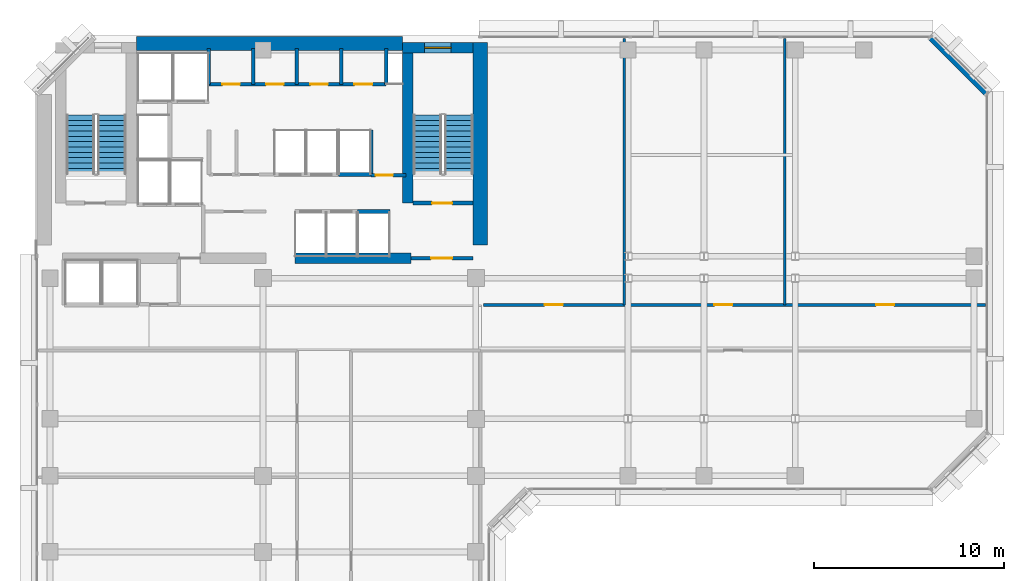
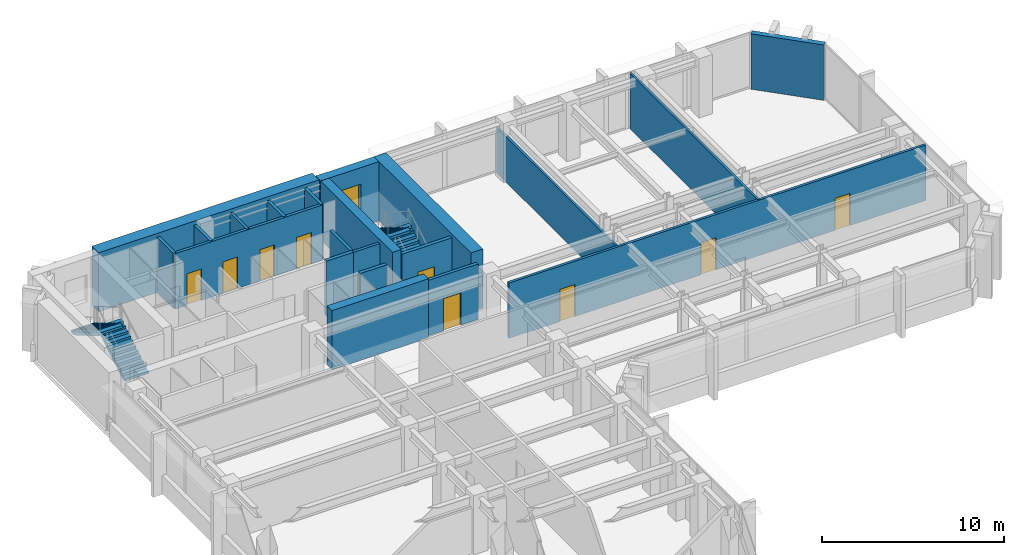
# One storey, part 8 of 11: 21 walls, 10 doors, 4 stair flights, 1 window, 11 openings, 2 elements without a shape of their own.
"""IFC4 building model written with IfcOpenShell, lengths in metres."""

from ifc_helpers import new_model, si_unit, direction, frame, frame_2d, origin, place, context, subcontext, project, spatial, polyline, rectangle, outline, extrude, material, layer, layer_set, type_object, element, fill, aggregate, save


model = new_model("IFC4")

# Units and contexts
model_context = context("Model", 3, precision=1e-05, world=origin(), true_north=direction((0.0, 1.0)))
body_context = subcontext(model_context, "Body", "Model", "MODEL_VIEW")
ifc_project = project(units=[si_unit("LENGTHUNIT", "METRE"), si_unit("AREAUNIT", "SQUARE_METRE"), si_unit("VOLUMEUNIT", "CUBIC_METRE"), si_unit("PLANEANGLEUNIT", "RADIAN"), si_unit("MASSUNIT", "GRAM", prefix="KILO")], contexts=[model_context])

# Site, building, storey
site_placement = place(None, origin())
site = spatial("IfcSite", under=ifc_project, at=site_placement, CompositionType="ELEMENT")
building_placement = place(site_placement, origin())
building = spatial("IfcBuilding", under=site, at=building_placement, Name="Kefirva Bronze Tower", CompositionType="ELEMENT")
storey_placement = place(building_placement, frame((0.0, 0.0, 166.64990234375)))
storey = spatial("IfcBuildingStorey", under=building, at=storey_placement, Name="L40", CompositionType="ELEMENT", Elevation=166.64990234375)

# Walls
ifc_material_1 = material(Name="Gypsum acoustic partition")
ifc_layer_1 = layer(ifc_material_1, 0.1298828125, Name="Gypsum acoustic partition")
ifc_layer_set_1 = layer_set([ifc_layer_1], Name="Gypsum acoustic partition")
wall_type_1 = type_object("IfcWallType", Name="Acoustic Office Partition 130mm", PredefinedType="PARTITIONING", material=ifc_layer_set_1)
wall_1_placement = place(storey_placement, frame((30.994873046875, 31.800048828125, 0.0), z_axis=(0.0, 0.0, 1.0), x_axis=(0.0, 1.0, 0.0)))
element("IfcWall", 1, at=wall_1_placement, inside=storey, type_object=wall_type_1, Name="L40 Partition W-L40-END1", PredefinedType="PARTITIONING", context=body_context, shape_type="SweptSolid", body=[
    extrude(rectangle(XDim=14.010009765625, YDim=0.1298828125, at=frame_2d((7.0048828125, 0.0))), origin(), (0.0, 0.0, 1.0), 3.045166015625),
])
wall_2_placement = place(storey_placement, frame((39.446044921875, 31.800048828125, 0.0), z_axis=(0.0, 0.0, 1.0), x_axis=(0.0, 1.0, 0.0)))
element("IfcWall", 2, at=wall_2_placement, inside=storey, type_object=wall_type_1, Name="L40 Partition W-L40-END2", PredefinedType="PARTITIONING", context=body_context, shape_type="SweptSolid", body=[
    extrude(rectangle(XDim=14.010009765625, YDim=0.1298828125, at=frame_2d((7.0048828125, 0.0))), origin(), (0.0, 0.0, 1.0), 3.710205078125),
])

# Wall, opening, door
ifc_material_2 = material(Name="Gypsum fireboard shaftwall")
ifc_layer_2 = layer(ifc_material_2, 0.219970703125, Name="Gypsum fireboard shaftwall")
ifc_layer_set_2 = layer_set([ifc_layer_2], Name="Gypsum fireboard shaftwall")
wall_type_2 = type_object("IfcWallType", Name="Fire-Rated Shaft Enclosure Wall 220mm", PredefinedType="PARTITIONING", material=ifc_layer_set_2)
wall_3_placement = place(storey_placement, frame((19.89990234375, 37.14990234375, 0.0), z_axis=(0.0, 0.0, 1.0), x_axis=(1.0, 0.0, 0.0)))
wall_3 = element("IfcWall", 3, at=wall_3_placement, inside=storey, type_object=wall_type_2, Name="L40 Partition W-L40-ST2S", PredefinedType="PARTITIONING", context=body_context, shape_type="SweptSolid", body=[
    extrude(rectangle(XDim=3.150146484375, YDim=0.219970703125, at=frame_2d((1.5751953125, 0.0))), origin(), (0.0, 0.0, 1.0), 3.710205078125),
])
opening_1_placement = place(wall_3_placement, frame((2.050048828125, 0.0, 0.0), z_axis=(0.0, 0.0, 1.0), x_axis=(-1.0, 0.0, 0.0)))
opening_1 = element("IfcOpeningElement", 4, at=opening_1_placement, cuts=wall_3, Name="Opening L40-D003", PredefinedType="OPENING", context=body_context, shape_type="SweptSolid", body=[
    extrude(rectangle(XDim=1.050048828125, YDim=2.14990234375, at=frame_2d((0.52490234375, 1.074951171875))), frame((0.0, 0.1201171875, 0.0), z_axis=(0.0, -1.0, 0.0), x_axis=(1.0, 0.0, 0.0)), (0.0, 0.0, 1.0), 0.239990234375),
])
ifc_material_3 = material(Name="Painted galvanized steel", Category="steel")
door_type_1 = type_object("IfcDoorType", Name="Fire Stair Enclosure Door 1050x2150 FD90S", OperationType="NOTDEFINED", PredefinedType="DOOR", material=ifc_material_3)
door_1_placement = place(opening_1_placement, origin())
door_1 = element("IfcDoor", 5, at=door_1_placement, inside=storey, type_object=door_type_1, Name="Door L40-D003", OperationType="SINGLE_SWING_RIGHT", OverallHeight=2.14990234375, OverallWidth=1.050048828125, PredefinedType="DOOR", context=body_context, shape_type="SweptSolid", body=[
    extrude(rectangle(XDim=1.050048828125, YDim=2.14990234375, at=frame_2d((0.52490234375, 1.074951171875))), frame((0.0, 0.02490234375, 0.0), z_axis=(0.0, -1.0, 0.0), x_axis=(1.0, 0.0, 0.0)), (0.0, 0.0, 1.0), 0.050048828125),
])
fill(opening_1, door_1)

# Walls
wall_4_placement = place(storey_placement, frame((17.679931640625, 38.64990234375, 0.0), z_axis=(0.0, 0.0, 1.0), x_axis=(0.0, 1.0, 0.0)))
element("IfcWall", 6, at=wall_4_placement, inside=storey, type_object=wall_type_2, Name="L40 Partition W-L40-HP2E", PredefinedType="PARTITIONING", context=body_context, shape_type="SweptSolid", body=[
    extrude(rectangle(XDim=2.35009765625, YDim=0.199951171875, at=frame_2d((1.175048828125, 0.0))), origin(), (0.0, 0.0, 1.0), 3.710205078125),
])
wall_5_placement = place(storey_placement, frame((16.97998046875, 36.699951171875, 0.0), z_axis=(0.0, 0.0, 1.0), x_axis=(1.0, 0.0, 0.0)))
element("IfcWall", 7, at=wall_5_placement, inside=storey, type_object=wall_type_2, Name="L40 Partition W-L40-HPS", PredefinedType="PARTITIONING", context=body_context, shape_type="SweptSolid", body=[
    extrude(rectangle(XDim=1.699951171875, YDim=0.219970703125, at=frame_2d((0.85009765625, 0.0))), origin(), (0.0, 0.0, 1.0), 3.710205078125),
])
wall_6_placement = place(storey_placement, frame((15.97998046875, 38.64990234375, 0.0), z_axis=(0.0, 0.0, 1.0), x_axis=(1.0, 0.0, 0.0)))
element("IfcWall", 8, at=wall_6_placement, inside=storey, type_object=wall_type_2, Name="L40 Partition W-L40-HPN", PredefinedType="PARTITIONING", context=body_context, shape_type="SweptSolid", body=[
    extrude(rectangle(XDim=1.719970703125, YDim=0.219970703125, at=frame_2d((0.85986328125, 0.0))), origin(), (0.0, 0.0, 1.0), 3.710205078125),
])

# Wall, opening, door
ifc_material_4 = material(Name="Gypsum fireboard barrier")
ifc_layer_3 = layer(ifc_material_4, 0.199951171875, Name="Gypsum fireboard barrier")
ifc_layer_set_3 = layer_set([ifc_layer_3], Name="Gypsum fireboard barrier")
wall_type_3 = type_object("IfcWallType", Name="Firefighting Lobby Barrier Wall 200mm", PredefinedType="PARTITIONING", material=ifc_layer_set_3)
wall_7_placement = place(storey_placement, frame((19.800048828125, 34.25, 0.0), z_axis=(0.0, 0.0, 1.0), x_axis=(1.0, 0.0, 0.0)))
wall_7 = element("IfcWall", 9, at=wall_7_placement, inside=storey, type_object=wall_type_3, Name="L40 Partition W-L40-ST2F", PredefinedType="PARTITIONING", context=body_context, shape_type="SweptSolid", body=[
    extrude(rectangle(XDim=3.25, YDim=0.199951171875, at=frame_2d((1.625, 0.0))), origin(), (0.0, 0.0, 1.0), 3.710205078125),
])
opening_2_placement = place(wall_7_placement, frame((2.150146484375, 0.0, 0.0), z_axis=(0.0, 0.0, 1.0), x_axis=(-1.0, 0.0, 0.0)))
opening_2 = element("IfcOpeningElement", 10, at=opening_2_placement, cuts=wall_7, Name="Opening L40-D004", PredefinedType="OPENING", context=body_context, shape_type="SweptSolid", body=[
    extrude(rectangle(XDim=1.10009765625, YDim=2.14990234375, at=frame_2d((0.550048828125, 1.074951171875))), frame((0.0, 0.10986328125, 0.0), z_axis=(0.0, -1.0, 0.0), x_axis=(1.0, 0.0, 0.0)), (0.0, 0.0, 1.0), 0.219970703125),
])
door_type_2 = type_object("IfcDoorType", Name="Firefighting Lobby Smoke Door 1100x2150 FD60S", OperationType="NOTDEFINED", PredefinedType="DOOR", material=ifc_material_3)
door_2_placement = place(opening_2_placement, origin())
door_2 = element("IfcDoor", 11, at=door_2_placement, inside=storey, type_object=door_type_2, Name="Door L40-D004", OperationType="SINGLE_SWING_LEFT", OverallHeight=2.14990234375, OverallWidth=1.10009765625, PredefinedType="DOOR", context=body_context, shape_type="SweptSolid", body=[
    extrude(rectangle(XDim=1.10009765625, YDim=2.14990234375, at=frame_2d((0.550048828125, 1.074951171875))), frame((0.0, 0.02490234375, 0.0), z_axis=(0.0, -1.0, 0.0), x_axis=(1.0, 0.0, 0.0)), (0.0, 0.0, 1.0), 0.050048828125),
])
fill(opening_2, door_2)

wall_8_placement = place(storey_placement, frame((17.679931640625, 38.6201171875, 0.0), z_axis=(0.0, 0.0, 1.0), x_axis=(1.0, 0.0, 0.0)))
wall_8 = element("IfcWall", 12, at=wall_8_placement, inside=storey, type_object=wall_type_3, Name="L40 Partition W-L40-CPASS", PredefinedType="PARTITIONING", context=body_context, shape_type="SweptSolid", body=[
    extrude(rectangle(XDim=1.840087890625, YDim=0.179931640625, at=frame_2d((0.919921875, 0.0))), origin(), (0.0, 0.0, 1.0), 3.710205078125),
])
opening_3_placement = place(wall_8_placement, frame((0.239990234375, 0.0, 0.0)))
opening_3 = element("IfcOpeningElement", 13, at=opening_3_placement, cuts=wall_8, Name="Opening L40-D-CPAS", PredefinedType="OPENING", context=body_context, shape_type="SweptSolid", body=[
    extrude(rectangle(XDim=0.919921875, YDim=2.10009765625, at=frame_2d((0.4599609375, 1.050048828125))), frame((0.0, 0.10009765625, 0.0), z_axis=(0.0, -1.0, 0.0), x_axis=(1.0, 0.0, 0.0)), (0.0, 0.0, 1.0), 0.199951171875),
])
ifc_material_5 = material(Name="Moisture-resistant timber", Category="wood")
door_type_3 = type_object("IfcDoorType", Name="Accessible Sanitary & WC Door 920x2100", OperationType="NOTDEFINED", PredefinedType="DOOR", material=ifc_material_5)
door_3_placement = place(opening_3_placement, origin())
door_3 = element("IfcDoor", 14, at=door_3_placement, inside=storey, type_object=door_type_3, Name="Door L40-D-CPAS", OperationType="SINGLE_SWING_RIGHT", OverallHeight=2.10009765625, OverallWidth=0.919921875, PredefinedType="DOOR", context=body_context, shape_type="SweptSolid", body=[
    extrude(rectangle(XDim=0.919921875, YDim=2.10009765625, at=frame_2d((0.4599609375, 1.050048828125))), frame((0.0, 0.02490234375, 0.0), z_axis=(0.0, -1.0, 0.0), x_axis=(1.0, 0.0, 0.0)), (0.0, 0.0, 1.0), 0.050048828125),
])
fill(opening_3, door_3)

# Wall
ifc_material_6 = material(Name="Precast concrete C40/50", Category="concrete")
ifc_layer_4 = layer(ifc_material_6, 0.320068359375, Name="Precast concrete C40/50")
ifc_layer_set_4 = layer_set([ifc_layer_4], Name="Precast concrete C40/50")
wall_type_4 = type_object("IfcWallType", Name="Precast Insulated Exterior Wall 320mm", PredefinedType="SOLIDWALL", material=ifc_layer_set_4)
wall_9_placement = place(storey_placement, frame((50.048095703125, 42.92578125, 0.0), z_axis=(0.0, 0.0, 1.0), x_axis=(-0.707136318428, 0.707077242712, 0.0)))
element("IfcWall", 15, at=wall_9_placement, inside=storey, type_object=wall_type_4, Name="L40 Exterior Facade Wall 4", PredefinedType="SOLIDWALL", context=body_context, shape_type="SweptSolid", body=[
    extrude(rectangle(XDim=4.132568359375, YDim=0.320068359375, at=frame_2d((2.06640625, 0.0))), origin(), (0.0, 0.0, 1.0), 3.710205078125),
])

# Wall, openings, doors
ifc_layer_5 = layer(ifc_material_1, 0.159912109375, Name="Gypsum acoustic partition")
ifc_layer_set_5 = layer_set([ifc_layer_5], Name="Gypsum acoustic partition")
wall_type_5 = type_object("IfcWallType", Name="Protected Corridor Partition 160mm", PredefinedType="PARTITIONING", material=ifc_layer_set_5)
wall_10_placement = place(storey_placement, frame((23.60009765625, 31.800048828125, 0.0), z_axis=(0.0, 0.0, 1.0), x_axis=(1.0, 0.0, 0.0)))
wall_10 = element("IfcWall", 16, at=wall_10_placement, inside=storey, type_object=wall_type_5, Name="L40 Partition W-L40-EWN", PredefinedType="PARTITIONING", context=body_context, shape_type="SweptSolid", body=[
    extrude(rectangle(XDim=26.409912109375, YDim=0.159912109375, at=frame_2d((13.205078125, 0.0))), origin(), (0.0, 0.0, 1.0), 3.710205078125),
])
opening_4_placement = place(wall_10_placement, frame((3.222412109375, 0.0, 0.0)))
opening_4 = element("IfcOpeningElement", 17, at=opening_4_placement, cuts=wall_10, Name="Opening L40-D-EN1", PredefinedType="OPENING", context=body_context, shape_type="SweptSolid", body=[
    extrude(rectangle(XDim=0.949951171875, YDim=2.14990234375, at=frame_2d((0.47509765625, 1.074951171875))), frame((0.0, 0.08984375, 0.0), z_axis=(0.0, -1.0, 0.0), x_axis=(1.0, 0.0, 0.0)), (0.0, 0.0, 1.0), 0.179931640625),
])
opening_5_placement = place(wall_10_placement, frame((12.1455078125, 0.0, 0.0)))
opening_5 = element("IfcOpeningElement", 18, at=opening_5_placement, cuts=wall_10, Name="Opening L40-D-EN2", PredefinedType="OPENING", context=body_context, shape_type="SweptSolid", body=[
    extrude(rectangle(XDim=0.949951171875, YDim=2.14990234375, at=frame_2d((0.47509765625, 1.074951171875))), frame((0.0, 0.08984375, 0.0), z_axis=(0.0, -1.0, 0.0), x_axis=(1.0, 0.0, 0.0)), (0.0, 0.0, 1.0), 0.179931640625),
])
opening_6_placement = place(wall_10_placement, frame((20.653076171875, 0.0, 0.0)))
opening_6 = element("IfcOpeningElement", 19, at=opening_6_placement, cuts=wall_10, Name="Opening L40-D-EN3", PredefinedType="OPENING", context=body_context, shape_type="SweptSolid", body=[
    extrude(rectangle(XDim=0.949951171875, YDim=2.14990234375, at=frame_2d((0.47509765625, 1.074951171875))), frame((0.0, 0.08984375, 0.0), z_axis=(0.0, -1.0, 0.0), x_axis=(1.0, 0.0, 0.0)), (0.0, 0.0, 1.0), 0.179931640625),
])
ifc_material_7 = material(Name="Acoustic hardwood oak", Category="wood")
door_type_4 = type_object("IfcDoorType", Name="Office & Meeting Room Door 950x2150", OperationType="NOTDEFINED", PredefinedType="DOOR", material=ifc_material_7)
door_4_placement = place(opening_4_placement, origin())
door_4 = element("IfcDoor", 20, at=door_4_placement, inside=storey, type_object=door_type_4, Name="Door L40-D-EN1", OperationType="SINGLE_SWING_RIGHT", OverallHeight=2.14990234375, OverallWidth=0.949951171875, PredefinedType="DOOR", context=body_context, shape_type="SweptSolid", body=[
    extrude(rectangle(XDim=0.949951171875, YDim=2.14990234375, at=frame_2d((0.47509765625, 1.074951171875))), frame((0.0, 0.02490234375, 0.0), z_axis=(0.0, -1.0, 0.0), x_axis=(1.0, 0.0, 0.0)), (0.0, 0.0, 1.0), 0.050048828125),
])
fill(opening_4, door_4)
door_5_placement = place(opening_5_placement, origin())
door_5 = element("IfcDoor", 21, at=door_5_placement, inside=storey, type_object=door_type_4, Name="Door L40-D-EN2", OperationType="SINGLE_SWING_LEFT", OverallHeight=2.14990234375, OverallWidth=0.949951171875, PredefinedType="DOOR", context=body_context, shape_type="SweptSolid", body=[
    extrude(rectangle(XDim=0.949951171875, YDim=2.14990234375, at=frame_2d((0.47509765625, 1.074951171875))), frame((0.0, 0.02490234375, 0.0), z_axis=(0.0, -1.0, 0.0), x_axis=(1.0, 0.0, 0.0)), (0.0, 0.0, 1.0), 0.050048828125),
])
fill(opening_5, door_5)
door_6_placement = place(opening_6_placement, origin())
door_6 = element("IfcDoor", 22, at=door_6_placement, inside=storey, type_object=door_type_4, Name="Door L40-D-EN3", OperationType="SINGLE_SWING_RIGHT", OverallHeight=2.14990234375, OverallWidth=0.949951171875, PredefinedType="DOOR", context=body_context, shape_type="SweptSolid", body=[
    extrude(rectangle(XDim=0.949951171875, YDim=2.14990234375, at=frame_2d((0.47509765625, 1.074951171875))), frame((0.0, 0.02490234375, 0.0), z_axis=(0.0, -1.0, 0.0), x_axis=(1.0, 0.0, 0.0)), (0.0, 0.0, 1.0), 0.050048828125),
])
fill(opening_6, door_6)

# Wall, opening, window
ifc_material_8 = material(Name="Concrete C50/60", Category="concrete")
ifc_layer_6 = layer(ifc_material_8, 0.550048828125, Name="Concrete C50/60")
ifc_layer_set_6 = layer_set([ifc_layer_6], Name="Concrete C50/60")
wall_type_6 = type_object("IfcWallType", Name="RC Rear Core Exterior Wall 550mm", PredefinedType="SHEAR", material=ifc_layer_set_6)
wall_11_placement = place(storey_placement, frame((19.35009765625, 45.320068359375, 0.0), z_axis=(0.0, 0.0, 1.0), x_axis=(1.0, 0.0, 0.0)))
wall_11 = element("IfcWall", 23, at=wall_11_placement, inside=storey, type_object=wall_type_6, Name="L40 Stair 2 North Shear Wall", PredefinedType="SHEAR", context=body_context, shape_type="SweptSolid", body=[
    extrude(rectangle(XDim=3.68994140625, YDim=0.550048828125, at=frame_2d((1.844970703125, 0.0))), origin(), (0.0, 0.0, 1.0), 3.960205078125),
])
opening_7_placement = place(wall_11_placement, frame((1.14990234375, 0.0, 1.050048828125)))
opening_7 = element("IfcOpeningElement", 24, at=opening_7_placement, cuts=wall_11, Name="Opening WN-03", PredefinedType="OPENING", context=body_context, shape_type="SweptSolid", body=[
    extrude(rectangle(XDim=1.39990234375, YDim=1.800048828125, at=frame_2d((0.699951171875, 0.89990234375))), frame((0.0, 0.28515625, 0.0), z_axis=(0.0, -1.0, 0.0), x_axis=(1.0, 0.0, 0.0)), (0.0, 0.0, 1.0), 0.570068359375),
])
ifc_material_9 = material(Name="Laminated low-E double glazing", Category="glass")
window_type = type_object("IfcWindowType", Name="Rear-Core Stair Daylight Window 1400x1800", PartitioningType="SINGLE_PANEL", PredefinedType="WINDOW", material=ifc_material_9)
window_placement = place(opening_7_placement, origin())
window = element("IfcWindow", 25, at=window_placement, inside=storey, type_object=window_type, Name="L40 Stair 2 Daylight Window", OverallHeight=1.800048828125, OverallWidth=1.39990234375, PartitioningType="SINGLE_PANEL", PredefinedType="WINDOW", context=body_context, shape_type="SweptSolid", body=[
    extrude(rectangle(XDim=1.39990234375, YDim=1.800048828125, at=frame_2d((0.699951171875, 0.89990234375))), frame((0.0, 0.030029296875, 0.0), z_axis=(0.0, -1.0, 0.0), x_axis=(1.0, 0.0, 0.0)), (0.0, 0.0, 1.0), 0.06005859375),
])
fill(opening_7, window)

# Walls
ifc_material_10 = material(Name="Concrete C60/75", Category="concrete")
ifc_layer_7 = layer(ifc_material_10, 0.75, Name="Concrete C60/75")
ifc_layer_set_7 = layer_set([ifc_layer_7], Name="Concrete C60/75")
wall_type_7 = type_object("IfcWallType", Name="RC Rear Core Exterior Wall 750mm", PredefinedType="SHEAR", material=ifc_layer_set_7)
wall_12_placement = place(storey_placement, frame((5.360107421875, 45.550048828125, 0.0), z_axis=(0.0, 0.0, 1.0), x_axis=(1.0, 0.0, 0.0)))
element("IfcWall", 26, at=wall_12_placement, inside=storey, type_object=wall_type_7, Name="L40 Rear Core North Shear Wall", PredefinedType="SHEAR", context=body_context, shape_type="SweptSolid", body=[
    extrude(rectangle(XDim=13.97998046875, YDim=0.75, at=frame_2d((6.989990234375, 0.0))), origin(), (0.0, 0.0, 1.0), 3.960205078125),
])
ifc_layer_8 = layer(ifc_material_8, 0.550048828125, Name="Concrete C50/60")
ifc_layer_set_8 = layer_set([ifc_layer_8], Name="Concrete C50/60")
wall_type_8 = type_object("IfcWallType", Name="RC Rear Core Interior Wall 550mm", PredefinedType="SHEAR", material=ifc_layer_set_8)
wall_13_placement = place(storey_placement, frame((19.6201171875, 37.14990234375, 0.0), z_axis=(0.0, 0.0, 1.0), x_axis=(0.0, 1.0, 0.0)))
element("IfcWall", 27, at=wall_13_placement, inside=storey, type_object=wall_type_8, Name="L40 Stair 2 West Shear Wall", PredefinedType="SHEAR", context=body_context, shape_type="SweptSolid", body=[
    extrude(rectangle(XDim=7.89013671875, YDim=0.550048828125, at=frame_2d((3.945068359375, 0.0))), origin(), (0.0, 0.0, 1.0), 3.960205078125),
])
ifc_layer_9 = layer(ifc_material_10, 0.75, Name="Concrete C60/75")
ifc_layer_set_9 = layer_set([ifc_layer_9], Name="Concrete C60/75")
wall_type_9 = type_object("IfcWallType", Name="RC Rear Core Interior Wall 750mm", PredefinedType="SHEAR", material=ifc_layer_set_9)
wall_14_placement = place(storey_placement, frame((23.425048828125, 34.949951171875, 0.0), z_axis=(0.0, 0.0, 1.0), x_axis=(0.0, 1.0, 0.0)))
element("IfcWall", 28, at=wall_14_placement, inside=storey, type_object=wall_type_9, Name="L40 Rear Core East Shear Wall", PredefinedType="SHEAR", context=body_context, shape_type="SweptSolid", body=[
    extrude(rectangle(XDim=10.64013671875, YDim=0.75, at=frame_2d((5.320068359375, 0.0))), origin(), (0.0, 0.0, 1.0), 3.960205078125),
])
wall_15_placement = place(storey_placement, frame((13.679931640625, 34.25, 0.0), z_axis=(0.0, 0.0, 1.0), x_axis=(1.0, 0.0, 0.0)))
element("IfcWall", 29, at=wall_15_placement, inside=storey, type_object=wall_type_9, Name="L40 Rear Core South-East Shear Wall", PredefinedType="SHEAR", context=body_context, shape_type="SweptSolid", body=[
    extrude(rectangle(XDim=6.1201171875, YDim=0.550048828125, at=frame_2d((3.06005859375, 0.0))), origin(), (0.0, 0.0, 1.0), 3.960205078125),
])

# Wall, openings, doors
ifc_material_11 = material(Name="Moisture-resistant partition")
ifc_layer_10 = layer(ifc_material_11, 0.179931640625, Name="Moisture-resistant partition")
ifc_layer_set_10 = layer_set([ifc_layer_10], Name="Moisture-resistant partition")
wall_type_10 = type_object("IfcWallType", Name="Sanitary Plumbing Chase Wall 180mm", PredefinedType="PLUMBINGWALL", material=ifc_layer_set_10)
wall_16_placement = place(storey_placement, frame((9.14990234375, 43.39990234375, 0.0), z_axis=(0.0, 0.0, 1.0), x_axis=(1.0, 0.0, 0.0)))
wall_16 = element("IfcWall", 30, at=wall_16_placement, inside=storey, type_object=wall_type_10, Name="L40 Partition W-L40-SVCS", PredefinedType="PLUMBINGWALL", context=body_context, shape_type="SweptSolid", body=[
    extrude(rectangle(XDim=9.330078125, YDim=0.179931640625, at=frame_2d((4.6650390625, 0.0))), origin(), (0.0, 0.0, 1.0), 3.710205078125),
])
opening_8_placement = place(wall_16_placement, frame((0.719970703125, 0.0, 0.0)))
opening_8 = element("IfcOpeningElement", 31, at=opening_8_placement, cuts=wall_16, Name="Opening L40-D-CSVC1", PredefinedType="OPENING", context=body_context, shape_type="SweptSolid", body=[
    extrude(rectangle(XDim=0.919921875, YDim=2.10009765625, at=frame_2d((0.4599609375, 1.050048828125))), frame((0.0, 0.10009765625, 0.0), z_axis=(0.0, -1.0, 0.0), x_axis=(1.0, 0.0, 0.0)), (0.0, 0.0, 1.0), 0.199951171875),
])
opening_9_placement = place(wall_16_placement, frame((3.02001953125, 0.0, 0.0)))
opening_9 = element("IfcOpeningElement", 32, at=opening_9_placement, cuts=wall_16, Name="Opening L40-D-CSVC2", PredefinedType="OPENING", context=body_context, shape_type="SweptSolid", body=[
    extrude(rectangle(XDim=0.919921875, YDim=2.10009765625, at=frame_2d((0.4599609375, 1.050048828125))), frame((0.0, 0.10009765625, 0.0), z_axis=(0.0, -1.0, 0.0), x_axis=(1.0, 0.0, 0.0)), (0.0, 0.0, 1.0), 0.199951171875),
])
opening_10_placement = place(wall_16_placement, frame((5.340087890625, 0.0, 0.0)))
opening_10 = element("IfcOpeningElement", 33, at=opening_10_placement, cuts=wall_16, Name="Opening L40-D-CSVC3", PredefinedType="OPENING", context=body_context, shape_type="SweptSolid", body=[
    extrude(rectangle(XDim=0.919921875, YDim=2.10009765625, at=frame_2d((0.4599609375, 1.050048828125))), frame((0.0, 0.10009765625, 0.0), z_axis=(0.0, -1.0, 0.0), x_axis=(1.0, 0.0, 0.0)), (0.0, 0.0, 1.0), 0.199951171875),
])
opening_11_placement = place(wall_16_placement, frame((7.659912109375, 0.0, 0.0)))
opening_11 = element("IfcOpeningElement", 34, at=opening_11_placement, cuts=wall_16, Name="Opening L40-D-CSVC4", PredefinedType="OPENING", context=body_context, shape_type="SweptSolid", body=[
    extrude(rectangle(XDim=0.949951171875, YDim=2.10009765625, at=frame_2d((0.47509765625, 1.050048828125))), frame((0.0, 0.10009765625, 0.0), z_axis=(0.0, -1.0, 0.0), x_axis=(1.0, 0.0, 0.0)), (0.0, 0.0, 1.0), 0.199951171875),
])
door_7_placement = place(opening_8_placement, origin())
door_7 = element("IfcDoor", 35, at=door_7_placement, inside=storey, type_object=door_type_3, Name="Door L40-D-CSVC1", OperationType="SINGLE_SWING_LEFT", OverallHeight=2.10009765625, OverallWidth=0.919921875, PredefinedType="DOOR", context=body_context, shape_type="SweptSolid", body=[
    extrude(rectangle(XDim=0.919921875, YDim=2.10009765625, at=frame_2d((0.4599609375, 1.050048828125))), frame((0.0, 0.02490234375, 0.0), z_axis=(0.0, -1.0, 0.0), x_axis=(1.0, 0.0, 0.0)), (0.0, 0.0, 1.0), 0.050048828125),
])
fill(opening_8, door_7)
door_8_placement = place(opening_9_placement, origin())
door_8 = element("IfcDoor", 36, at=door_8_placement, inside=storey, type_object=door_type_3, Name="Door L40-D-CSVC2", OperationType="SINGLE_SWING_RIGHT", OverallHeight=2.10009765625, OverallWidth=0.919921875, PredefinedType="DOOR", context=body_context, shape_type="SweptSolid", body=[
    extrude(rectangle(XDim=0.919921875, YDim=2.10009765625, at=frame_2d((0.4599609375, 1.050048828125))), frame((0.0, 0.02490234375, 0.0), z_axis=(0.0, -1.0, 0.0), x_axis=(1.0, 0.0, 0.0)), (0.0, 0.0, 1.0), 0.050048828125),
])
fill(opening_9, door_8)
door_9_placement = place(opening_10_placement, origin())
door_9 = element("IfcDoor", 37, at=door_9_placement, inside=storey, type_object=door_type_3, Name="Door L40-D-CSVC3", OperationType="SINGLE_SWING_LEFT", OverallHeight=2.10009765625, OverallWidth=0.919921875, PredefinedType="DOOR", context=body_context, shape_type="SweptSolid", body=[
    extrude(rectangle(XDim=0.919921875, YDim=2.10009765625, at=frame_2d((0.4599609375, 1.050048828125))), frame((0.0, 0.02490234375, 0.0), z_axis=(0.0, -1.0, 0.0), x_axis=(1.0, 0.0, 0.0)), (0.0, 0.0, 1.0), 0.050048828125),
])
fill(opening_10, door_9)
door_type_5 = type_object("IfcDoorType", Name="Riser & Plant Shaft Fire Door 950x2100 FD60S", OperationType="NOTDEFINED", PredefinedType="DOOR", material=ifc_material_3)
door_10_placement = place(opening_11_placement, origin())
door_10 = element("IfcDoor", 38, at=door_10_placement, inside=storey, type_object=door_type_5, Name="Door L40-D-CSVC4", OperationType="SINGLE_SWING_RIGHT", OverallHeight=2.10009765625, OverallWidth=0.949951171875, PredefinedType="DOOR", context=body_context, shape_type="SweptSolid", body=[
    extrude(rectangle(XDim=0.949951171875, YDim=2.10009765625, at=frame_2d((0.47509765625, 1.050048828125))), frame((0.0, 0.02490234375, 0.0), z_axis=(0.0, -1.0, 0.0), x_axis=(1.0, 0.0, 0.0)), (0.0, 0.0, 1.0), 0.050048828125),
])
fill(opening_11, door_10)

# Walls
for number, where, z_axis, x_axis, name in (
    (39, (9.14990234375, 43.39990234375, 0.0), (0.0, 0.0, 1.0), (0.0, 1.0, 0.0), "L40 Partition W-L40-SVCW"),
    (40, (18.47998046875, 43.39990234375, 0.0), (0.0, 0.0, 1.0), (0.0, 1.0, 0.0), "L40 Partition W-L40-SVCE"),
    (41, (11.47998046875, 43.39990234375, 0.0), (0.0, 0.0, 1.0), (0.0, 1.0, 0.0), "L40 Partition W-L40-CSVD-1"),
    (42, (13.780029296875, 43.39990234375, 0.0), (0.0, 0.0, 1.0), (0.0, 1.0, 0.0), "L40 Partition W-L40-CSVD-2"),
    (43, (16.1201171875, 43.39990234375, 0.0), (0.0, 0.0, 1.0), (0.0, 1.0, 0.0), "L40 Partition W-L40-CSVD-3"),
):
    element("IfcWall", number, at=place(storey_placement, frame(where, z_axis=z_axis, x_axis=x_axis)), inside=storey, type_object=wall_type_10, Name=name, PredefinedType="PLUMBINGWALL", context=body_context, shape_type="SweptSolid", body=[
        extrude(rectangle(XDim=1.880126953125, YDim=0.179931640625, at=frame_2d((0.93994140625, 0.0))), origin(), (0.0, 0.0, 1.0), 3.710205078125),
    ])

# Stair, stair flights
ifc_material_12 = material(Name="Concrete C40/50", Category="concrete")
stair_type = type_object("IfcStairType", Name="RC Dogleg Protected Stair 24R", PredefinedType="HALF_TURN_STAIR", material=ifc_material_12)
stair_1_placement = place(storey_placement, origin())
stair_1 = element("IfcStair", 44, at=stair_1_placement, inside=storey, type_object=stair_type, Name="L40 Protected Exit Stair 1", PredefinedType="HALF_TURN_STAIR")
stair_flight_type = type_object("IfcStairFlightType", Name="RC Straight Stair Flight 24R", PredefinedType="STRAIGHT", material=ifc_material_12)
stair_flight_1_placement = place(storey_placement, frame((4.050048828125, 38.699951171875, 0.0), z_axis=(0.0, 0.0, 1.0), x_axis=(0.0, 1.0, 0.0)))
stair_flight_1 = element("IfcStairFlight", 45, at=stair_flight_1_placement, type_object=stair_flight_type, Name="ST-1 flight 1", NumberOfRisers=12, NumberOfTreads=11, PredefinedType="STRAIGHT", RiserHeight=0.165, TreadLength=0.28, context=body_context, shape_type="SweptSolid", body=[
    extrude(outline(polyline([(0.0, 0.0), (0.0, 0.1650390625), (0.280029296875, 0.1650390625), (0.280029296875, 0.330078125), (0.56005859375, 0.330078125), (0.56005859375, 0.4951171875), (0.840087890625, 0.4951171875), (0.840087890625, 0.659912109375), (1.1201171875, 0.659912109375), (1.1201171875, 0.824951171875), (1.39990234375, 0.824951171875), (1.39990234375, 0.989990234375), (1.679931640625, 0.989990234375), (1.679931640625, 1.155029296875), (1.9599609375, 1.155029296875), (1.9599609375, 1.320068359375), (2.239990234375, 1.320068359375), (2.239990234375, 1.485107421875), (2.52001953125, 1.485107421875), (2.52001953125, 1.64990234375), (2.800048828125, 1.64990234375), (2.800048828125, 1.81494140625), (3.080078125, 1.81494140625), (3.080078125, 1.97998046875), (3.080078125, 1.64111328125), (0.295166015625, 0.0), (0.0, 0.0)])), frame((0.0, 0.75, 0.0), z_axis=(0.0, -1.0, 0.0), x_axis=(1.0, 0.0, 0.0)), (0.0, 0.0, 1.0), 1.5),
])
stair_flight_2_placement = place(storey_placement, frame((2.39990234375, 41.780029296875, 1.97998046875), z_axis=(0.0, 0.0, 1.0), x_axis=(0.0, -1.0, 0.0)))
stair_flight_2 = element("IfcStairFlight", 46, at=stair_flight_2_placement, type_object=stair_flight_type, Name="ST-1 flight 2", NumberOfRisers=12, NumberOfTreads=11, PredefinedType="STRAIGHT", RiserHeight=0.165, TreadLength=0.28, context=body_context, shape_type="SweptSolid", body=[
    extrude(outline(polyline([(0.0, 0.0), (0.0, 0.1650390625), (0.280029296875, 0.1650390625), (0.280029296875, 0.330078125), (0.56005859375, 0.330078125), (0.56005859375, 0.4951171875), (0.840087890625, 0.4951171875), (0.840087890625, 0.659912109375), (1.1201171875, 0.659912109375), (1.1201171875, 0.824951171875), (1.39990234375, 0.824951171875), (1.39990234375, 0.989990234375), (1.679931640625, 0.989990234375), (1.679931640625, 1.155029296875), (1.9599609375, 1.155029296875), (1.9599609375, 1.320068359375), (2.239990234375, 1.320068359375), (2.239990234375, 1.485107421875), (2.52001953125, 1.485107421875), (2.52001953125, 1.64990234375), (2.800048828125, 1.64990234375), (2.800048828125, 1.81494140625), (3.080078125, 1.81494140625), (3.080078125, 1.97998046875), (3.080078125, 1.64111328125), (0.295166015625, 0.0), (0.0, 0.0)])), frame((0.0, 0.75, 0.0), z_axis=(0.0, -1.0, 0.0), x_axis=(1.0, 0.0, 0.0)), (0.0, 0.0, 1.0), 1.5),
])
aggregate(stair_1, [stair_flight_1, stair_flight_2])

stair_2_placement = place(storey_placement, origin())
stair_2 = element("IfcStair", 47, at=stair_2_placement, inside=storey, type_object=stair_type, Name="L40 Protected Exit Stair 2", PredefinedType="HALF_TURN_STAIR")
stair_flight_3_placement = place(storey_placement, frame((22.300048828125, 38.699951171875, 0.0), z_axis=(0.0, 0.0, 1.0), x_axis=(0.0, 1.0, 0.0)))
stair_flight_3 = element("IfcStairFlight", 48, at=stair_flight_3_placement, type_object=stair_flight_type, Name="ST-2 flight 1", NumberOfRisers=12, NumberOfTreads=11, PredefinedType="STRAIGHT", RiserHeight=0.165, TreadLength=0.28, context=body_context, shape_type="SweptSolid", body=[
    extrude(outline(polyline([(0.0, 0.0), (0.0, 0.1650390625), (0.280029296875, 0.1650390625), (0.280029296875, 0.330078125), (0.56005859375, 0.330078125), (0.56005859375, 0.4951171875), (0.840087890625, 0.4951171875), (0.840087890625, 0.659912109375), (1.1201171875, 0.659912109375), (1.1201171875, 0.824951171875), (1.39990234375, 0.824951171875), (1.39990234375, 0.989990234375), (1.679931640625, 0.989990234375), (1.679931640625, 1.155029296875), (1.9599609375, 1.155029296875), (1.9599609375, 1.320068359375), (2.239990234375, 1.320068359375), (2.239990234375, 1.485107421875), (2.52001953125, 1.485107421875), (2.52001953125, 1.64990234375), (2.800048828125, 1.64990234375), (2.800048828125, 1.81494140625), (3.080078125, 1.81494140625), (3.080078125, 1.97998046875), (3.080078125, 1.64111328125), (0.295166015625, 0.0), (0.0, 0.0)])), frame((0.0, 0.75, 0.0), z_axis=(0.0, -1.0, 0.0), x_axis=(1.0, 0.0, 0.0)), (0.0, 0.0, 1.0), 1.5),
])
stair_flight_4_placement = place(storey_placement, frame((20.64990234375, 41.780029296875, 1.97998046875), z_axis=(0.0, 0.0, 1.0), x_axis=(0.0, -1.0, 0.0)))
stair_flight_4 = element("IfcStairFlight", 49, at=stair_flight_4_placement, type_object=stair_flight_type, Name="ST-2 flight 2", NumberOfRisers=12, NumberOfTreads=11, PredefinedType="STRAIGHT", RiserHeight=0.165, TreadLength=0.28, context=body_context, shape_type="SweptSolid", body=[
    extrude(outline(polyline([(0.0, 0.0), (0.0, 0.1650390625), (0.280029296875, 0.1650390625), (0.280029296875, 0.330078125), (0.56005859375, 0.330078125), (0.56005859375, 0.4951171875), (0.840087890625, 0.4951171875), (0.840087890625, 0.659912109375), (1.1201171875, 0.659912109375), (1.1201171875, 0.824951171875), (1.39990234375, 0.824951171875), (1.39990234375, 0.989990234375), (1.679931640625, 0.989990234375), (1.679931640625, 1.155029296875), (1.9599609375, 1.155029296875), (1.9599609375, 1.320068359375), (2.239990234375, 1.320068359375), (2.239990234375, 1.485107421875), (2.52001953125, 1.485107421875), (2.52001953125, 1.64990234375), (2.800048828125, 1.64990234375), (2.800048828125, 1.81494140625), (3.080078125, 1.81494140625), (3.080078125, 1.97998046875), (3.080078125, 1.64111328125), (0.295166015625, 0.0), (0.0, 0.0)])), frame((0.0, 0.75, 0.0), z_axis=(0.0, -1.0, 0.0), x_axis=(1.0, 0.0, 0.0)), (0.0, 0.0, 1.0), 1.5),
])
aggregate(stair_2, [stair_flight_3, stair_flight_4])

save(model, "model.ifc")
